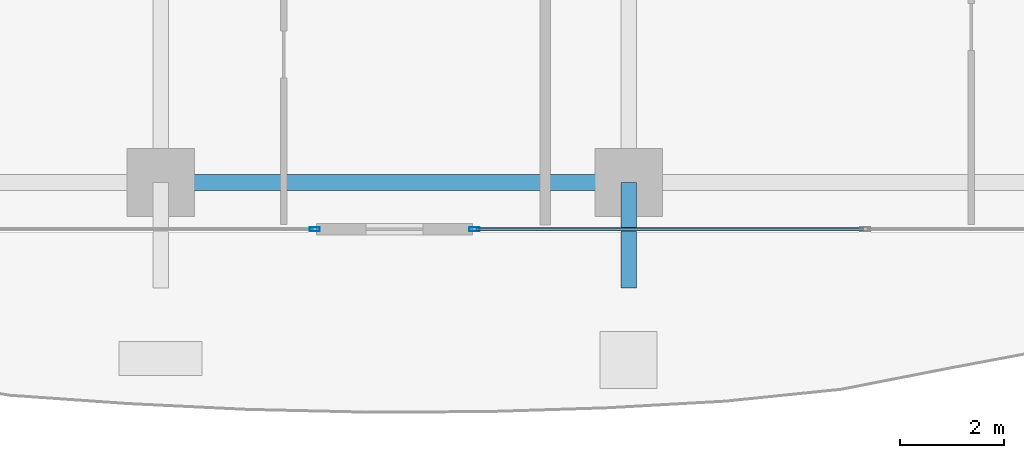
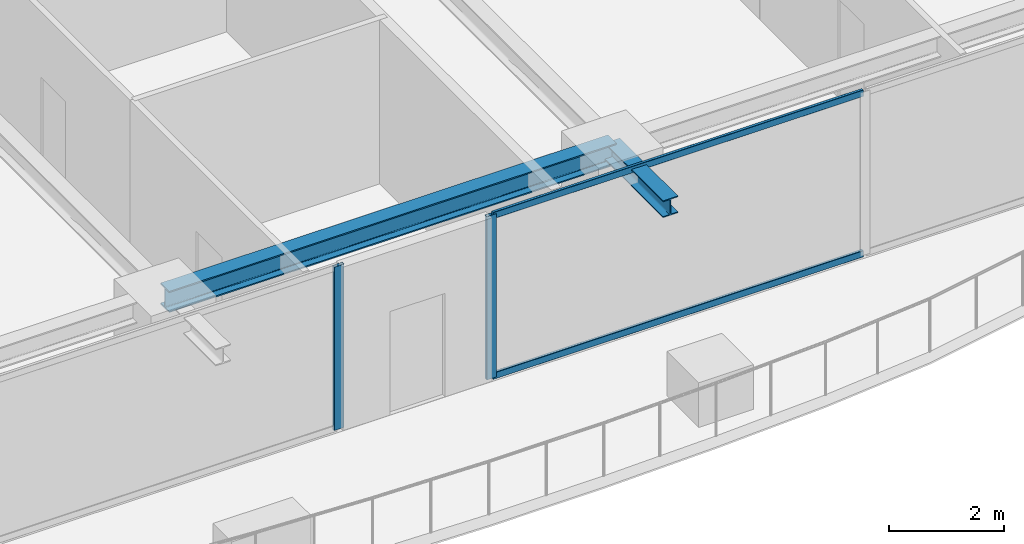
# One storey, part 5 of 38: 4 members, 2 beams, 2 elements without a shape of their own.
"""IFC4 building model written with IfcOpenShell, lengths in metres."""

from ifc_helpers import new_model, si_unit, direction, frame, origin, origin_2d, place, context, subcontext, project, spatial, hollow_rectangle, i_section, extrude, source, transform, mapped, material, layer, layer_set, material_profile, profile_set, type_object, element, aggregate, save


model = new_model("IFC4")

# Units and contexts
model_context = context("Model", 3, precision=1e-05, world=origin(), true_north=direction((0.0, 1.0)))
body_context = subcontext(model_context, "Body", "Model", "MODEL_VIEW")
ifc_project = project(units=[si_unit("LENGTHUNIT", "METRE"), si_unit("AREAUNIT", "SQUARE_METRE"), si_unit("VOLUMEUNIT", "CUBIC_METRE"), si_unit("PLANEANGLEUNIT", "RADIAN"), si_unit("MASSUNIT", "GRAM", prefix="KILO")], contexts=[model_context])

# Site, building, storey
site_placement = place(None, origin())
site = spatial("IfcSite", under=ifc_project, at=site_placement, CompositionType="ELEMENT")
building_placement = place(site_placement, origin())
building = spatial("IfcBuilding", under=site, at=building_placement, Name="Serunith Strait Residences", CompositionType="ELEMENT")
storey_placement = place(building_placement, frame((0.0, 0.0, 176.39990234375)))
storey = spatial("IfcBuildingStorey", under=building, at=storey_placement, Name="L44", CompositionType="ELEMENT", Elevation=176.39990234375)

# Beams
ifc_material_1 = material(Name="Steel S355J2", Category="steel")
ifc_material_profile_1 = material_profile(ifc_material_1, i_section(OverallWidth=0.300048828125, OverallDepth=0.449951171875, WebThickness=0.013916015625, FlangeThickness=0.02587890625, FilletRadius=0.027099609375, at=origin_2d()), Name="HEB 450")
ifc_profile_set_1 = profile_set([ifc_material_profile_1], Name="Steel S355J2")
beam_type_1 = type_object("IfcBeamType", Name="BM-HEB450", PredefinedType="BEAM", material=ifc_profile_set_1)
shared_shape_1 = source(origin(), body_context, "Body", "SweptSolid", [
    extrude(i_section(OverallWidth=0.300048828125, OverallDepth=0.449951171875, WebThickness=0.013916015625, FlangeThickness=0.02587890625, FilletRadius=0.027099609375, at=origin_2d()), origin(), (0.0, 0.0, 1.0), 9.0),
])
beam_1_placement = place(storey_placement, frame((27.89990234375, 2.300048828125, 3.26220703125), z_axis=(1.0, 0.0, 0.0), x_axis=(0.0, 1.0, 0.0)))
element("IfcBeam", 1, at=beam_1_placement, inside=storey, type_object=beam_type_1, Name="L44 Perimeter Ring Beam 02", PredefinedType="BEAM", context=body_context, shape_type="MappedRepresentation", body=[
    mapped(shared_shape_1, transform((0.0, 0.0, 0.0), scale=1.0)),
])
ifc_material_profile_2 = material_profile(ifc_material_1, i_section(OverallWidth=0.300048828125, OverallDepth=0.360107421875, WebThickness=0.012451171875, FlangeThickness=0.0224609375, FilletRadius=0.027099609375, at=origin_2d()), Name="HEB 360")
ifc_profile_set_2 = profile_set([ifc_material_profile_2], Name="Steel S355J2")
beam_type_2 = type_object("IfcBeamType", Name="BM-HEB360", PredefinedType="BEAM", material=ifc_profile_set_2)
shared_shape_2 = source(origin(), body_context, "Body", "SweptSolid", [
    extrude(i_section(OverallWidth=0.300048828125, OverallDepth=0.360107421875, WebThickness=0.012451171875, FlangeThickness=0.0224609375, FilletRadius=0.027099609375, at=origin_2d()), origin(), (0.0, 0.0, 1.0), 2.030029296875),
])
beam_2_placement = place(storey_placement, frame((36.89990234375, 2.300048828125, 3.277099609375), z_axis=(0.0, -1.0, 0.0), x_axis=(1.0, 0.0, 0.0)))
element("IfcBeam", 2, at=beam_2_placement, inside=storey, type_object=beam_type_2, Name="L45 Cantilevered Balcony Rib TC-S3", PredefinedType="BEAM", context=body_context, shape_type="MappedRepresentation", body=[
    mapped(shared_shape_2, transform((0.0, 0.0, 0.0), scale=1.0)),
])

# Curtain wall, member
ifc_material_2 = material(Name="Pale-Champagne Anodised Aluminium", Category="aluminium")
ifc_layer = layer(ifc_material_2, 0.199951171875, Name="Pale-Champagne Anodised Aluminium")
ifc_layer_set = layer_set([ifc_layer], Name="Pale-Champagne Anodised Aluminium")
curtain_wall_type = type_object("IfcCurtainWallType", Name="CW-SYS2", PredefinedType="NOTDEFINED", material=ifc_layer_set)
curtain_wall_1_placement = place(storey_placement, origin())
curtain_wall_1 = element("IfcCurtainWall", 3, at=curtain_wall_1_placement, inside=storey, type_object=curtain_wall_type, Name="L44 S Unitised Fritted Curtain Wall", PredefinedType="NOTDEFINED")
ifc_material_profile_3 = material_profile(ifc_material_2, hollow_rectangle(XDim=0.070068359375, YDim=0.199951171875, WallThickness=0.00390625, InnerFilletRadius=0.006103515625, OuterFilletRadius=0.010009765625, at=origin_2d()), Name="ALU 200x70x4")
ifc_profile_set_3 = profile_set([ifc_material_profile_3], Name="Pale-Champagne Anodised Aluminium")
member_type_1 = type_object("IfcMemberType", Name="CW-SYS2-MULL", PredefinedType="MULLION", material=ifc_profile_set_3)
shared_shape_3 = source(origin(), body_context, "Body", "SweptSolid", [
    extrude(hollow_rectangle(XDim=0.070068359375, YDim=0.199951171875, WallThickness=0.00390625, InnerFilletRadius=0.006103515625, OuterFilletRadius=0.010009765625, at=origin_2d()), origin(), (0.0, 0.0, 1.0), 3.47509765625),
])
member_1_placement = place(storey_placement, frame((30.864990234375, 1.39990234375, 0.0), z_axis=(0.0, 0.0, 1.0), x_axis=(0.0, 1.0, 0.0)))
member_1 = element("IfcMember", 4, at=member_1_placement, type_object=member_type_1, Name="CW-2 mullion 3", PredefinedType="MULLION", context=body_context, shape_type="MappedRepresentation", body=[
    mapped(shared_shape_3, transform((0.0, 0.0, 0.0), scale=1.0)),
])
aggregate(curtain_wall_1, [member_1])

# Curtain wall, members
curtain_wall_2_placement = place(storey_placement, origin())
curtain_wall_2 = element("IfcCurtainWall", 5, at=curtain_wall_2_placement, inside=storey, type_object=curtain_wall_type, Name="L44 S Unitised Fritted Curtain Wall", PredefinedType="NOTDEFINED")
member_2_placement = place(storey_placement, frame((33.93505859375, 1.39990234375, 0.0), z_axis=(0.0, 0.0, 1.0), x_axis=(0.0, 1.0, 0.0)))
member_2 = element("IfcMember", 6, at=member_2_placement, type_object=member_type_1, Name="CW-2 mullion 1", PredefinedType="MULLION", context=body_context, shape_type="MappedRepresentation", body=[
    mapped(shared_shape_3, transform((0.0, 0.0, 0.0), scale=1.0)),
])
ifc_material_profile_4 = material_profile(ifc_material_2, hollow_rectangle(XDim=0.06005859375, YDim=0.139892578125, WallThickness=0.00341796875, InnerFilletRadius=0.00537109375, OuterFilletRadius=0.0087890625, at=origin_2d()), Name="ALU 140x60x3.5")
ifc_profile_set_4 = profile_set([ifc_material_profile_4], Name="Pale-Champagne Anodised Aluminium")
member_type_2 = type_object("IfcMemberType", Name="CW-SYS2-TRAN", PredefinedType="USERDEFINED", material=ifc_profile_set_4)
shared_shape_4 = source(origin(), body_context, "Body", "SweptSolid", [
    extrude(hollow_rectangle(XDim=0.06005859375, YDim=0.139892578125, WallThickness=0.00341796875, InnerFilletRadius=0.00537109375, OuterFilletRadius=0.0087890625, at=origin_2d()), origin(), (0.0, 0.0, 1.0), 7.445068359375),
])
member_3_placement = place(storey_placement, frame((33.969970703125, 1.39990234375, 0.030029296875), z_axis=(1.0, 0.0, 0.0), x_axis=(0.0, 1.0, 0.0)))
member_3 = element("IfcMember", 7, at=member_3_placement, type_object=member_type_2, Name="CW-2 transom 1.1", ObjectType="TRANSOM", PredefinedType="USERDEFINED", context=body_context, shape_type="MappedRepresentation", body=[
    mapped(shared_shape_4, transform((0.0, 0.0, 0.0), scale=1.0)),
])
member_4_placement = place(storey_placement, frame((33.969970703125, 1.39990234375, 3.445068359375), z_axis=(1.0, 0.0, 0.0), x_axis=(0.0, 1.0, 0.0)))
member_4 = element("IfcMember", 8, at=member_4_placement, type_object=member_type_2, Name="CW-2 transom 1.2", ObjectType="TRANSOM", PredefinedType="USERDEFINED", context=body_context, shape_type="MappedRepresentation", body=[
    mapped(shared_shape_4, transform((0.0, 0.0, 0.0), scale=1.0)),
])
aggregate(curtain_wall_2, [member_2, member_3, member_4])

save(model, "model.ifc")
